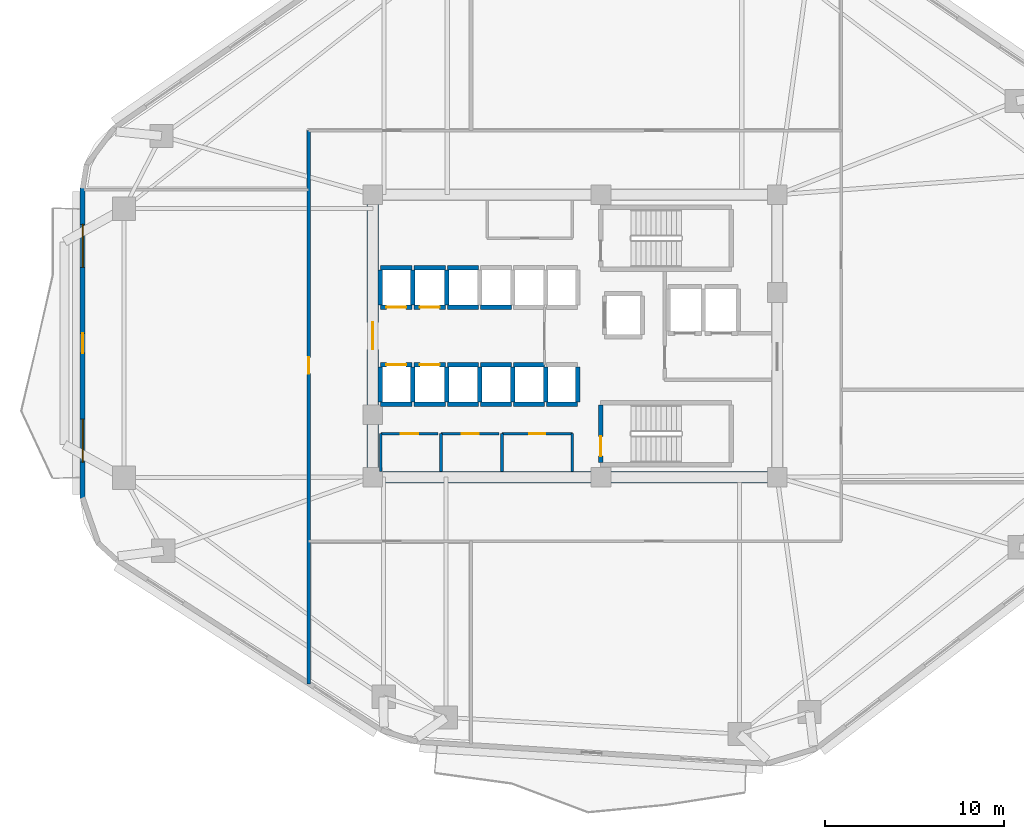
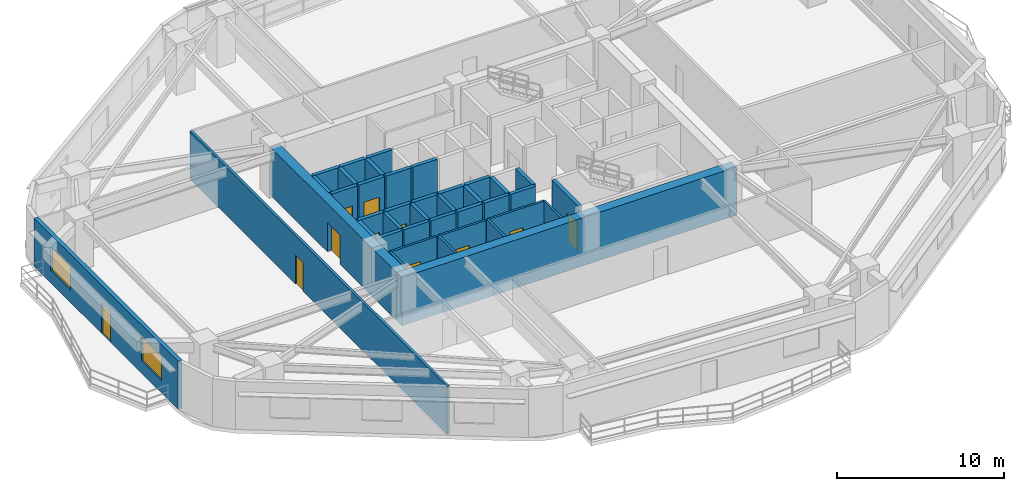
# One storey, part 6 of 11: 40 walls, 11 doors, 2 windows, 13 openings.
"""IFC4 building model written with IfcOpenShell, lengths in metres."""

from ifc_helpers import new_model, si_unit, direction, frame, frame_2d, origin, place, context, subcontext, project, spatial, rectangle, extrude, material, layer, layer_set, type_object, element, fill, save


model = new_model("IFC4")

# Units and contexts
model_context = context("Model", 3, precision=1e-05, world=origin(), true_north=direction((0.0, 1.0)))
body_context = subcontext(model_context, "Body", "Model", "MODEL_VIEW")
ifc_project = project(units=[si_unit("LENGTHUNIT", "METRE"), si_unit("AREAUNIT", "SQUARE_METRE"), si_unit("VOLUMEUNIT", "CUBIC_METRE"), si_unit("PLANEANGLEUNIT", "RADIAN"), si_unit("MASSUNIT", "GRAM", prefix="KILO")], contexts=[model_context])

# Site, building, storey
site_placement = place(None, origin())
site = spatial("IfcSite", under=ifc_project, at=site_placement, CompositionType="ELEMENT")
building_placement = place(site_placement, origin())
building = spatial("IfcBuilding", under=site, at=building_placement, Name="Zulverin Broadcast Headquarters", CompositionType="ELEMENT")
storey_placement = place(building_placement, frame((0.0, 0.0, 32.60009765625)))
storey = spatial("IfcBuildingStorey", under=building, at=storey_placement, Name="L07", CompositionType="ELEMENT", Elevation=32.60009765625)

# Wall
ifc_material_1 = material(Name="Concrete C60/75", Category="concrete")
ifc_layer_1 = layer(ifc_material_1, 0.64990234375, Name="Concrete C60/75", Category="concrete")
ifc_layer_set_1 = layer_set([ifc_layer_1], Name="Concrete C60/75")
wall_type_1 = type_object("IfcWallType", Name="WL-CORE-650", PredefinedType="SHEAR", material=ifc_layer_set_1)
wall_1_placement = place(storey_placement, frame((25.39990234375, 17.324951171875, 0.0), z_axis=(0.0, 0.0, 1.0), x_axis=(1.0, 0.0, 0.0)))
element("IfcWall", 1, at=wall_1_placement, inside=storey, type_object=wall_type_1, Name="L07 Core South Shear Wall", PredefinedType="SHEAR", context=body_context, shape_type="SweptSolid", body=[
    extrude(rectangle(XDim=23.2001953125, YDim=0.64990234375, at=frame_2d((11.60009765625, 0.0))), origin(), (0.0, 0.0, 1.0), 3.52490234375),
])

# Wall, opening, door
wall_2_placement = place(storey_placement, frame((25.72509765625, 17.64990234375, 0.0), z_axis=(0.0, 0.0, 1.0), x_axis=(0.0, 1.0, 0.0)))
wall_2 = element("IfcWall", 2, at=wall_2_placement, inside=storey, type_object=wall_type_1, Name="L07 Core West Shear Wall", PredefinedType="SHEAR", context=body_context, shape_type="SweptSolid", body=[
    extrude(rectangle(XDim=15.10009765625, YDim=0.64990234375, at=frame_2d((7.550048828125, 0.0))), origin(), (0.0, 0.0, 1.0), 3.52490234375),
])
opening_1_placement = place(wall_2_placement, frame((6.800048828125, 0.0, 0.0)))
opening_1 = element("IfcOpeningElement", 3, at=opening_1_placement, cuts=wall_2, Name="Opening D-L07-CW1", PredefinedType="OPENING", context=body_context, shape_type="SweptSolid", body=[
    extrude(rectangle(XDim=1.5, YDim=2.14990234375, at=frame_2d((0.75, 1.074951171875))), frame((0.0, 0.3349609375, 0.0), z_axis=(0.0, -1.0, 0.0), x_axis=(1.0, 0.0, 0.0)), (0.0, 0.0, 1.0), 0.669921875),
])
ifc_material_2 = material(Name="Fire-rated glazed steel frame", Category="steel")
door_type_1 = type_object("IfcDoorType", Name="DR-COR-1500", OperationType="DOUBLE_DOOR_SINGLE_SWING", PredefinedType="DOOR", material=ifc_material_2)
door_1_placement = place(opening_1_placement, origin())
door_1 = element("IfcDoor", 4, at=door_1_placement, inside=storey, type_object=door_type_1, Name="L07 Central Lift Lobby West Portal Door", OperationType="DOUBLE_DOOR_SINGLE_SWING", OverallHeight=2.14990234375, OverallWidth=1.5, PredefinedType="DOOR", context=body_context, shape_type="SweptSolid", body=[
    extrude(rectangle(XDim=1.5, YDim=2.14990234375, at=frame_2d((0.75, 1.074951171875))), frame((0.0, 0.02490234375, 0.0), z_axis=(0.0, -1.0, 0.0), x_axis=(1.0, 0.0, 0.0)), (0.0, 0.0, 1.0), 0.050048828125),
])
fill(opening_1, door_1)

# Wall, openings, door, windows
ifc_material_3 = material(Name="Insulated pale-metal clad concrete spandrel C40/50", Category="concrete")
ifc_layer_2 = layer(ifc_material_3, 0.280029296875, Name="Insulated pale-metal clad concrete spandrel C40/50", Category="concrete")
ifc_layer_set_2 = layer_set([ifc_layer_2], Name="Insulated pale-metal clad concrete spandrel C40/50")
wall_type_2 = type_object("IfcWallType", Name="WL-EXT-280", PredefinedType="STANDARD", material=ifc_layer_set_2)
wall_3_placement = place(storey_placement, frame((9.5400390625, 33.4443359375, 0.0), z_axis=(0.0, 0.0, 1.0), x_axis=(0.0, -1.0, 0.0)))
wall_3 = element("IfcWall", 5, at=wall_3_placement, inside=storey, type_object=wall_type_2, Name="L07 Pale-Metal Clad Spandrel Wall 7", PredefinedType="STANDARD", context=body_context, shape_type="SweptSolid", body=[
    extrude(rectangle(XDim=17.30078125, YDim=0.280029296875, at=frame_2d((8.650390625, 0.0))), origin(), (0.0, 0.0, 1.0), 3.52490234375),
])
opening_2_placement = place(wall_3_placement, frame((8.100341796875, 0.0, 0.0)))
opening_2 = element("IfcOpeningElement", 6, at=opening_2_placement, cuts=wall_3, Name="Opening D-L07-TR7", PredefinedType="OPENING", context=body_context, shape_type="SweptSolid", body=[
    extrude(rectangle(XDim=1.10009765625, YDim=2.199951171875, at=frame_2d((0.550048828125, 1.10009765625))), frame((0.0, 0.14990234375, 0.0), z_axis=(0.0, -1.0, 0.0), x_axis=(1.0, 0.0, 0.0)), (0.0, 0.0, 1.0), 0.300048828125),
])
opening_3_placement = place(wall_3_placement, frame((2.016845703125, 0.0, 0.89990234375)))
opening_3 = element("IfcOpeningElement", 7, at=opening_3_placement, cuts=wall_3, Name="Opening W-L07-E71", PredefinedType="OPENING", context=body_context, shape_type="SweptSolid", body=[
    extrude(rectangle(XDim=2.39990234375, YDim=1.75, at=frame_2d((1.199951171875, 0.875))), frame((0.0, 0.14990234375, 0.0), z_axis=(0.0, -1.0, 0.0), x_axis=(1.0, 0.0, 0.0)), (0.0, 0.0, 1.0), 0.300048828125),
])
opening_4_placement = place(wall_3_placement, frame((12.884033203125, 0.0, 0.89990234375)))
opening_4 = element("IfcOpeningElement", 8, at=opening_4_placement, cuts=wall_3, Name="Opening W-L07-E72", PredefinedType="OPENING", context=body_context, shape_type="SweptSolid", body=[
    extrude(rectangle(XDim=2.39990234375, YDim=1.75, at=frame_2d((1.199951171875, 0.875))), frame((0.0, 0.14990234375, 0.0), z_axis=(0.0, -1.0, 0.0), x_axis=(1.0, 0.0, 0.0)), (0.0, 0.0, 1.0), 0.300048828125),
])
ifc_material_4 = material(Name="Thermally broken aluminium glazed", Category="aluminium")
door_type_2 = type_object("IfcDoorType", Name="DR-TERR-1100", OperationType="SINGLE_SWING_RIGHT", PredefinedType="DOOR", material=ifc_material_4)
door_2_placement = place(opening_2_placement, origin())
door_2 = element("IfcDoor", 9, at=door_2_placement, inside=storey, type_object=door_type_2, Name="L07 Planted Terrace Glazed Access Door 7", OperationType="SINGLE_SWING_RIGHT", OverallHeight=2.199951171875, OverallWidth=1.10009765625, PredefinedType="DOOR", context=body_context, shape_type="SweptSolid", body=[
    extrude(rectangle(XDim=1.10009765625, YDim=2.199951171875, at=frame_2d((0.550048828125, 1.10009765625))), frame((0.0, 0.02490234375, 0.0), z_axis=(0.0, -1.0, 0.0), x_axis=(1.0, 0.0, 0.0)), (0.0, 0.0, 1.0), 0.050048828125),
])
fill(opening_2, door_2)
ifc_material_5 = material(Name="Pale anodized aluminium frame with solar-control low-E double glazing", Category="aluminium")
window_type = type_object("IfcWindowType", Name="WIN-RIB-2400", PartitioningType="SINGLE_PANEL", PredefinedType="WINDOW", material=ifc_material_5)
window_1_placement = place(opening_3_placement, origin())
window_1 = element("IfcWindow", 10, at=window_1_placement, inside=storey, type_object=window_type, Name="L07 Ribbon Glazing Window 7 1", OverallHeight=1.75, OverallWidth=2.39990234375, PartitioningType="SINGLE_PANEL", PredefinedType="WINDOW", context=body_context, shape_type="SweptSolid", body=[
    extrude(rectangle(XDim=2.39990234375, YDim=1.75, at=frame_2d((1.199951171875, 0.875))), frame((0.0, 0.030029296875, 0.0), z_axis=(0.0, -1.0, 0.0), x_axis=(1.0, 0.0, 0.0)), (0.0, 0.0, 1.0), 0.06005859375),
])
fill(opening_3, window_1)
window_2_placement = place(opening_4_placement, origin())
window_2 = element("IfcWindow", 11, at=window_2_placement, inside=storey, type_object=window_type, Name="L07 Ribbon Glazing Window 7 2", OverallHeight=1.75, OverallWidth=2.39990234375, PartitioningType="SINGLE_PANEL", PredefinedType="WINDOW", context=body_context, shape_type="SweptSolid", body=[
    extrude(rectangle(XDim=2.39990234375, YDim=1.75, at=frame_2d((1.199951171875, 0.875))), frame((0.0, 0.030029296875, 0.0), z_axis=(0.0, -1.0, 0.0), x_axis=(1.0, 0.0, 0.0)), (0.0, 0.0, 1.0), 0.06005859375),
])
fill(opening_4, window_2)

# Wall, opening, door
ifc_material_6 = material(Name="Fire-rated gypsum stud partition", Category="gypsum")
ifc_layer_3 = layer(ifc_material_6, 0.14990234375, Name="Fire-rated gypsum stud partition", Category="gypsum")
ifc_layer_set_3 = layer_set([ifc_layer_3], Name="Fire-rated gypsum stud partition")
wall_type_3 = type_object("IfcWallType", Name="WL-PART-150", PredefinedType="PARTITIONING", material=ifc_layer_set_3)
wall_4_placement = place(storey_placement, frame((26.169921875, 19.75, 0.0), z_axis=(0.0, 0.0, 1.0), x_axis=(1.0, 0.0, 0.0)))
wall_4 = element("IfcWall", 12, at=wall_4_placement, inside=storey, type_object=wall_type_3, Name="L07 Core Male WC Front Wall", PredefinedType="PARTITIONING", context=body_context, shape_type="SweptSolid", body=[
    extrude(rectangle(XDim=3.2001953125, YDim=0.14990234375, at=frame_2d((1.60009765625, 0.0))), origin(), (0.0, 0.0, 1.0), 3.52490234375),
])
opening_5_placement = place(wall_4_placement, frame((1.125, 0.0, 0.0)))
opening_5 = element("IfcOpeningElement", 13, at=opening_5_placement, cuts=wall_4, Name="Opening D-L07-SC1", PredefinedType="OPENING", context=body_context, shape_type="SweptSolid", body=[
    extrude(rectangle(XDim=0.949951171875, YDim=2.10009765625, at=frame_2d((0.47509765625, 1.050048828125))), frame((0.0, 0.0849609375, 0.0), z_axis=(0.0, -1.0, 0.0), x_axis=(1.0, 0.0, 0.0)), (0.0, 0.0, 1.0), 0.169921875),
])
ifc_material_7 = material(Name="Fire-rated moisture-resistant laminate leaf", Category="wood")
door_type_3 = type_object("IfcDoorType", Name="DR-WC-950", OperationType="SINGLE_SWING_LEFT", PredefinedType="DOOR", material=ifc_material_7)
door_3_placement = place(opening_5_placement, origin())
door_3 = element("IfcDoor", 14, at=door_3_placement, inside=storey, type_object=door_type_3, Name="L07 Male WC Door", OperationType="SINGLE_SWING_RIGHT", OverallHeight=2.10009765625, OverallWidth=0.949951171875, PredefinedType="DOOR", context=body_context, shape_type="SweptSolid", body=[
    extrude(rectangle(XDim=0.949951171875, YDim=2.10009765625, at=frame_2d((0.47509765625, 1.050048828125))), frame((0.0, 0.02490234375, 0.0), z_axis=(0.0, -1.0, 0.0), x_axis=(1.0, 0.0, 0.0)), (0.0, 0.0, 1.0), 0.050048828125),
])
fill(opening_5, door_3)

# Wall
wall_5_placement = place(storey_placement, frame((26.169921875, 17.64990234375, 0.0), z_axis=(0.0, 0.0, 1.0), x_axis=(0.0, 1.0, 0.0)))
element("IfcWall", 15, at=wall_5_placement, inside=storey, type_object=wall_type_3, Name="L07 Core Male WC West Wall", PredefinedType="PARTITIONING", context=body_context, shape_type="SweptSolid", body=[
    extrude(rectangle(XDim=2.10009765625, YDim=0.14990234375, at=frame_2d((1.050048828125, 0.0))), origin(), (0.0, 0.0, 1.0), 3.52490234375),
])

# Wall, opening, door
wall_6_placement = place(storey_placement, frame((29.530029296875, 19.75, 0.0), z_axis=(0.0, 0.0, 1.0), x_axis=(1.0, 0.0, 0.0)))
wall_6 = element("IfcWall", 16, at=wall_6_placement, inside=storey, type_object=wall_type_3, Name="L07 Core Female WC Front Wall", PredefinedType="PARTITIONING", context=body_context, shape_type="SweptSolid", body=[
    extrude(rectangle(XDim=3.239990234375, YDim=0.14990234375, at=frame_2d((1.6201171875, 0.0))), origin(), (0.0, 0.0, 1.0), 3.52490234375),
])
opening_6_placement = place(wall_6_placement, frame((1.14501953125, 0.0, 0.0)))
opening_6 = element("IfcOpeningElement", 17, at=opening_6_placement, cuts=wall_6, Name="Opening D-L07-SC2", PredefinedType="OPENING", context=body_context, shape_type="SweptSolid", body=[
    extrude(rectangle(XDim=0.949951171875, YDim=2.10009765625, at=frame_2d((0.47509765625, 1.050048828125))), frame((0.0, 0.0849609375, 0.0), z_axis=(0.0, -1.0, 0.0), x_axis=(1.0, 0.0, 0.0)), (0.0, 0.0, 1.0), 0.169921875),
])
door_4_placement = place(opening_6_placement, origin())
door_4 = element("IfcDoor", 18, at=door_4_placement, inside=storey, type_object=door_type_3, Name="L07 Female WC Door", OperationType="SINGLE_SWING_LEFT", OverallHeight=2.10009765625, OverallWidth=0.949951171875, PredefinedType="DOOR", context=body_context, shape_type="SweptSolid", body=[
    extrude(rectangle(XDim=0.949951171875, YDim=2.10009765625, at=frame_2d((0.47509765625, 1.050048828125))), frame((0.0, 0.02490234375, 0.0), z_axis=(0.0, -1.0, 0.0), x_axis=(1.0, 0.0, 0.0)), (0.0, 0.0, 1.0), 0.050048828125),
])
fill(opening_6, door_4)

# Wall
wall_7_placement = place(storey_placement, frame((29.530029296875, 17.64990234375, 0.0), z_axis=(0.0, 0.0, 1.0), x_axis=(0.0, 1.0, 0.0)))
element("IfcWall", 19, at=wall_7_placement, inside=storey, type_object=wall_type_3, Name="L07 Core Female WC West Wall", PredefinedType="PARTITIONING", context=body_context, shape_type="SweptSolid", body=[
    extrude(rectangle(XDim=2.10009765625, YDim=0.14990234375, at=frame_2d((1.050048828125, 0.0))), origin(), (0.0, 0.0, 1.0), 3.52490234375),
])

# Wall, opening, door
wall_8_placement = place(storey_placement, frame((32.929931640625, 19.75, 0.0), z_axis=(0.0, 0.0, 1.0), x_axis=(1.0, 0.0, 0.0)))
wall_8 = element("IfcWall", 20, at=wall_8_placement, inside=storey, type_object=wall_type_3, Name="L07 Core Cleaner Store Front Wall", PredefinedType="PARTITIONING", context=body_context, shape_type="SweptSolid", body=[
    extrude(rectangle(XDim=3.920166015625, YDim=0.14990234375, at=frame_2d((1.9599609375, 0.0))), origin(), (0.0, 0.0, 1.0), 3.52490234375),
])
opening_7_placement = place(wall_8_placement, frame((1.510009765625, 0.0, 0.0)))
opening_7 = element("IfcOpeningElement", 21, at=opening_7_placement, cuts=wall_8, Name="Opening D-L07-SC3", PredefinedType="OPENING", context=body_context, shape_type="SweptSolid", body=[
    extrude(rectangle(XDim=0.89990234375, YDim=2.10009765625, at=frame_2d((0.449951171875, 1.050048828125))), frame((0.0, 0.0849609375, 0.0), z_axis=(0.0, -1.0, 0.0), x_axis=(1.0, 0.0, 0.0)), (0.0, 0.0, 1.0), 0.169921875),
])
ifc_material_8 = material(Name="Powder-coated steel access leaf", Category="steel")
door_type_4 = type_object("IfcDoorType", Name="DR-RISER-900", OperationType="SINGLE_SWING_LEFT", PredefinedType="DOOR", material=ifc_material_8)
door_5_placement = place(opening_7_placement, origin())
door_5 = element("IfcDoor", 22, at=door_5_placement, inside=storey, type_object=door_type_4, Name="L07 Cleaner Store Door", OperationType="SINGLE_SWING_RIGHT", OverallHeight=2.10009765625, OverallWidth=0.89990234375, PredefinedType="DOOR", context=body_context, shape_type="SweptSolid", body=[
    extrude(rectangle(XDim=0.89990234375, YDim=2.10009765625, at=frame_2d((0.449951171875, 1.050048828125))), frame((0.0, 0.02490234375, 0.0), z_axis=(0.0, -1.0, 0.0), x_axis=(1.0, 0.0, 0.0)), (0.0, 0.0, 1.0), 0.050048828125),
])
fill(opening_7, door_5)

# Walls
for number, where, z_axis, x_axis, name in (
    (23, (32.929931640625, 17.64990234375, 0.0), (0.0, 0.0, 1.0), (0.0, 1.0, 0.0), "L07 Core Cleaner Store West Wall"),
    (24, (36.85009765625, 17.64990234375, 0.0), (0.0, 0.0, 1.0), (0.0, 1.0, 0.0), "L07 Core Cleaner Store East Wall"),
):
    element("IfcWall", number, at=place(storey_placement, frame(where, z_axis=z_axis, x_axis=x_axis)), inside=storey, type_object=wall_type_3, Name=name, PredefinedType="PARTITIONING", context=body_context, shape_type="SweptSolid", body=[
        extrude(rectangle(XDim=2.10009765625, YDim=0.14990234375, at=frame_2d((1.050048828125, 0.0))), origin(), (0.0, 0.0, 1.0), 3.52490234375),
    ])

# Wall, opening, door
ifc_material_9 = material(Name="Fire-rated acoustic stud wall", Category="gypsum")
ifc_layer_4 = layer(ifc_material_9, 0.175048828125, Name="Fire-rated acoustic stud wall", Category="gypsum")
ifc_layer_set_4 = layer_set([ifc_layer_4], Name="Fire-rated acoustic stud wall")
wall_type_4 = type_object("IfcWallType", Name="WL-PART-175", PredefinedType="PARTITIONING", material=ifc_layer_set_4)
wall_9_placement = place(storey_placement, frame((22.14990234375, 5.797607421875, 0.0), z_axis=(0.0, 0.0, 1.0), x_axis=(0.0, 1.0, 0.0)))
wall_9 = element("IfcWall", 25, at=wall_9_placement, inside=storey, type_object=wall_type_4, Name="L07 Gallery Partition Wall CG-04", PredefinedType="PARTITIONING", context=body_context, shape_type="SweptSolid", body=[
    extrude(rectangle(XDim=30.852294921875, YDim=0.175048828125, at=frame_2d((15.42626953125, 0.0))), origin(), (0.0, 0.0, 1.0), 3.52490234375),
])
opening_8_placement = place(wall_9_placement, frame((17.302490234375, 0.0, 0.0)))
opening_8 = element("IfcOpeningElement", 26, at=opening_8_placement, cuts=wall_9, Name="Opening D-L07-05", PredefinedType="OPENING", context=body_context, shape_type="SweptSolid", body=[
    extrude(rectangle(XDim=0.89990234375, YDim=2.10009765625, at=frame_2d((0.449951171875, 1.050048828125))), frame((0.0, 0.097412109375, 0.0), z_axis=(0.0, -1.0, 0.0), x_axis=(1.0, 0.0, 0.0)), (0.0, 0.0, 1.0), 0.195068359375),
])
ifc_material_10 = material(Name="Fire-rated hardwood veneer timber leaf", Category="wood")
door_type_5 = type_object("IfcDoorType", Name="DR-ROOM-900", OperationType="SINGLE_SWING_RIGHT", PredefinedType="DOOR", material=ifc_material_10)
door_6_placement = place(opening_8_placement, origin())
door_6 = element("IfcDoor", 27, at=door_6_placement, inside=storey, type_object=door_type_5, Name="L07 Briefing Room Door", OperationType="SINGLE_SWING_RIGHT", OverallHeight=2.10009765625, OverallWidth=0.89990234375, PredefinedType="DOOR", context=body_context, shape_type="SweptSolid", body=[
    extrude(rectangle(XDim=0.89990234375, YDim=2.10009765625, at=frame_2d((0.449951171875, 1.050048828125))), frame((0.0, 0.02490234375, 0.0), z_axis=(0.0, -1.0, 0.0), x_axis=(1.0, 0.0, 0.0)), (0.0, 0.0, 1.0), 0.050048828125),
])
fill(opening_8, door_6)

ifc_material_11 = material(Name="Concrete C50/60", Category="concrete")
ifc_layer_5 = layer(ifc_material_11, 0.25, Name="Concrete C50/60", Category="concrete")
ifc_layer_set_5 = layer_set([ifc_layer_5], Name="Concrete C50/60")
wall_type_5 = type_object("IfcWallType", Name="WL-SHAFT-250", PredefinedType="SHEAR", material=ifc_layer_set_5)
wall_10_placement = place(storey_placement, frame((38.425048828125, 18.14990234375, 0.0), z_axis=(0.0, 0.0, 1.0), x_axis=(0.0, 1.0, 0.0)))
wall_10 = element("IfcWall", 28, at=wall_10_placement, inside=storey, type_object=wall_type_5, Name="L07 ST-2 Enclosure Wall W", PredefinedType="SHEAR", context=body_context, shape_type="SweptSolid", body=[
    extrude(rectangle(XDim=3.2001953125, YDim=0.25, at=frame_2d((1.60009765625, 0.0))), origin(), (0.0, 0.0, 1.0), 3.52490234375),
])
opening_9_placement = place(wall_10_placement, frame((0.35009765625, 0.0, 0.0)))
opening_9 = element("IfcOpeningElement", 29, at=opening_9_placement, cuts=wall_10, Name="Opening D-L07-ST-2", PredefinedType="OPENING", context=body_context, shape_type="SweptSolid", body=[
    extrude(rectangle(XDim=1.10009765625, YDim=2.14990234375, at=frame_2d((0.550048828125, 1.074951171875))), frame((0.0, 0.135009765625, 0.0), z_axis=(0.0, -1.0, 0.0), x_axis=(1.0, 0.0, 0.0)), (0.0, 0.0, 1.0), 0.27001953125),
])
ifc_material_12 = material(Name="Fire-rated steel leaf and frame", Category="steel")
door_type_6 = type_object("IfcDoorType", Name="DR-STAIR-1100", OperationType="SINGLE_SWING_LEFT", PredefinedType="DOOR", material=ifc_material_12)
door_7_placement = place(opening_9_placement, origin())
door_7 = element("IfcDoor", 30, at=door_7_placement, inside=storey, type_object=door_type_6, Name="L07 Exit Stair ST-2 Fire Door", OperationType="SINGLE_SWING_RIGHT", OverallHeight=2.14990234375, OverallWidth=1.10009765625, PredefinedType="DOOR", context=body_context, shape_type="SweptSolid", body=[
    extrude(rectangle(XDim=1.10009765625, YDim=2.14990234375, at=frame_2d((0.550048828125, 1.074951171875))), frame((0.0, 0.02490234375, 0.0), z_axis=(0.0, -1.0, 0.0), x_axis=(1.0, 0.0, 0.0)), (0.0, 0.0, 1.0), 0.050048828125),
])
fill(opening_9, door_7)

wall_11_placement = place(storey_placement, frame((26.14990234375, 26.800048828125, 0.0), z_axis=(0.0, 0.0, 1.0), x_axis=(1.0, 0.0, 0.0)))
wall_11 = element("IfcWall", 31, at=wall_11_placement, inside=storey, type_object=wall_type_5, Name="L07 Lift PL-L1 Shaft Wall S", PredefinedType="SHEAR", context=body_context, shape_type="SweptSolid", body=[
    extrude(rectangle(XDim=1.75, YDim=0.25, at=frame_2d((0.875, 0.0))), origin(), (0.0, 0.0, 1.0), 3.52490234375),
])
opening_10_placement = place(wall_11_placement, frame((0.324951171875, 0.0, 0.0)))
opening_10 = element("IfcOpeningElement", 32, at=opening_10_placement, cuts=wall_11, Name="Opening LD-PL-L1-L07", PredefinedType="OPENING", context=body_context, shape_type="SweptSolid", body=[
    extrude(rectangle(XDim=1.10009765625, YDim=2.14990234375, at=frame_2d((0.550048828125, 1.074951171875))), frame((0.0, 0.135009765625, 0.0), z_axis=(0.0, -1.0, 0.0), x_axis=(1.0, 0.0, 0.0)), (0.0, 0.0, 1.0), 0.27001953125),
])
ifc_material_13 = material(Name="Brushed stainless steel landing", Category="steel")
door_type_7 = type_object("IfcDoorType", Name="LD-PASS-1100", OperationType="DOUBLE_DOOR_SLIDING", PredefinedType="DOOR", material=ifc_material_13)
door_8_placement = place(opening_10_placement, origin())
door_8 = element("IfcDoor", 33, at=door_8_placement, inside=storey, type_object=door_type_7, Name="L07 Lift PL-L1 Sliding Landing Door", OperationType="DOUBLE_DOOR_SLIDING", OverallHeight=2.14990234375, OverallWidth=1.10009765625, PredefinedType="DOOR", context=body_context, shape_type="SweptSolid", body=[
    extrude(rectangle(XDim=1.10009765625, YDim=2.14990234375, at=frame_2d((0.550048828125, 1.074951171875))), frame((0.0, 0.02490234375, 0.0), z_axis=(0.0, -1.0, 0.0), x_axis=(1.0, 0.0, 0.0)), (0.0, 0.0, 1.0), 0.050048828125),
])
fill(opening_10, door_8)

# Walls
wall_12_placement = place(storey_placement, frame((26.14990234375, 29.0, 0.0), z_axis=(0.0, 0.0, 1.0), x_axis=(1.0, 0.0, 0.0)))
element("IfcWall", 34, at=wall_12_placement, inside=storey, type_object=wall_type_5, Name="L07 Lift PL-L1 Shaft Wall N", PredefinedType="SHEAR", context=body_context, shape_type="SweptSolid", body=[
    extrude(rectangle(XDim=1.75, YDim=0.25, at=frame_2d((0.875, 0.0))), origin(), (0.0, 0.0, 1.0), 3.52490234375),
])
for number, where, z_axis, x_axis, name in (
    (35, (26.14990234375, 26.919921875, 0.0), (0.0, 0.0, 1.0), (0.0, 1.0, 0.0), "L07 Lift PL-L1 Shaft Wall W"),
    (36, (27.9599609375, 26.919921875, 0.0), (0.0, 0.0, 1.0), (0.0, 1.0, 0.0), "L07 Lift PL-L1 Shaft Wall E"),
):
    element("IfcWall", number, at=place(storey_placement, frame(where, z_axis=z_axis, x_axis=x_axis)), inside=storey, type_object=wall_type_5, Name=name, PredefinedType="SHEAR", context=body_context, shape_type="SweptSolid", body=[
        extrude(rectangle(XDim=1.9599609375, YDim=0.25, at=frame_2d((0.97998046875, 0.0))), origin(), (0.0, 0.0, 1.0), 3.52490234375),
    ])

# Wall, opening, door
wall_13_placement = place(storey_placement, frame((28.02001953125, 26.800048828125, 0.0), z_axis=(0.0, 0.0, 1.0), x_axis=(1.0, 0.0, 0.0)))
wall_13 = element("IfcWall", 37, at=wall_13_placement, inside=storey, type_object=wall_type_5, Name="L07 Lift PL-L2 Shaft Wall S", PredefinedType="SHEAR", context=body_context, shape_type="SweptSolid", body=[
    extrude(rectangle(XDim=1.75, YDim=0.25, at=frame_2d((0.875, 0.0))), origin(), (0.0, 0.0, 1.0), 3.52490234375),
])
opening_11_placement = place(wall_13_placement, frame((0.324951171875, 0.0, 0.0)))
opening_11 = element("IfcOpeningElement", 38, at=opening_11_placement, cuts=wall_13, Name="Opening LD-PL-L2-L07", PredefinedType="OPENING", context=body_context, shape_type="SweptSolid", body=[
    extrude(rectangle(XDim=1.10009765625, YDim=2.14990234375, at=frame_2d((0.550048828125, 1.074951171875))), frame((0.0, 0.135009765625, 0.0), z_axis=(0.0, -1.0, 0.0), x_axis=(1.0, 0.0, 0.0)), (0.0, 0.0, 1.0), 0.27001953125),
])
door_9_placement = place(opening_11_placement, origin())
door_9 = element("IfcDoor", 39, at=door_9_placement, inside=storey, type_object=door_type_7, Name="L07 Lift PL-L2 Sliding Landing Door", OperationType="DOUBLE_DOOR_SLIDING", OverallHeight=2.14990234375, OverallWidth=1.10009765625, PredefinedType="DOOR", context=body_context, shape_type="SweptSolid", body=[
    extrude(rectangle(XDim=1.10009765625, YDim=2.14990234375, at=frame_2d((0.550048828125, 1.074951171875))), frame((0.0, 0.02490234375, 0.0), z_axis=(0.0, -1.0, 0.0), x_axis=(1.0, 0.0, 0.0)), (0.0, 0.0, 1.0), 0.050048828125),
])
fill(opening_11, door_9)

# Walls
wall_14_placement = place(storey_placement, frame((28.02001953125, 29.0, 0.0), z_axis=(0.0, 0.0, 1.0), x_axis=(1.0, 0.0, 0.0)))
element("IfcWall", 40, at=wall_14_placement, inside=storey, type_object=wall_type_5, Name="L07 Lift PL-L2 Shaft Wall N", PredefinedType="SHEAR", context=body_context, shape_type="SweptSolid", body=[
    extrude(rectangle(XDim=1.75, YDim=0.25, at=frame_2d((0.875, 0.0))), origin(), (0.0, 0.0, 1.0), 3.52490234375),
])
wall_15_placement = place(storey_placement, frame((29.8349609375, 26.919921875, 0.0), z_axis=(0.0, 0.0, 1.0), x_axis=(0.0, 1.0, 0.0)))
element("IfcWall", 41, at=wall_15_placement, inside=storey, type_object=wall_type_5, Name="L07 Lift PL-L2 Shaft Wall E", PredefinedType="SHEAR", context=body_context, shape_type="SweptSolid", body=[
    extrude(rectangle(XDim=1.9599609375, YDim=0.25, at=frame_2d((0.97998046875, 0.0))), origin(), (0.0, 0.0, 1.0), 3.52490234375),
])
wall_16_placement = place(storey_placement, frame((26.14990234375, 21.39990234375, 0.0), z_axis=(0.0, 0.0, 1.0), x_axis=(1.0, 0.0, 0.0)))
element("IfcWall", 42, at=wall_16_placement, inside=storey, type_object=wall_type_5, Name="L07 Lift PL-L3 Shaft Wall S", PredefinedType="SHEAR", context=body_context, shape_type="SweptSolid", body=[
    extrude(rectangle(XDim=1.75, YDim=0.25, at=frame_2d((0.875, 0.0))), origin(), (0.0, 0.0, 1.0), 3.52490234375),
])

# Wall, opening, door
wall_17_placement = place(storey_placement, frame((26.14990234375, 23.60009765625, 0.0), z_axis=(0.0, 0.0, 1.0), x_axis=(1.0, 0.0, 0.0)))
wall_17 = element("IfcWall", 43, at=wall_17_placement, inside=storey, type_object=wall_type_5, Name="L07 Lift PL-L3 Shaft Wall N", PredefinedType="SHEAR", context=body_context, shape_type="SweptSolid", body=[
    extrude(rectangle(XDim=1.75, YDim=0.25, at=frame_2d((0.875, 0.0))), origin(), (0.0, 0.0, 1.0), 3.52490234375),
])
opening_12_placement = place(wall_17_placement, frame((0.324951171875, 0.0, 0.0)))
opening_12 = element("IfcOpeningElement", 44, at=opening_12_placement, cuts=wall_17, Name="Opening LD-PL-L3-L07", PredefinedType="OPENING", context=body_context, shape_type="SweptSolid", body=[
    extrude(rectangle(XDim=1.10009765625, YDim=2.14990234375, at=frame_2d((0.550048828125, 1.074951171875))), frame((0.0, 0.135009765625, 0.0), z_axis=(0.0, -1.0, 0.0), x_axis=(1.0, 0.0, 0.0)), (0.0, 0.0, 1.0), 0.27001953125),
])
door_10_placement = place(opening_12_placement, origin())
door_10 = element("IfcDoor", 45, at=door_10_placement, inside=storey, type_object=door_type_7, Name="L07 Lift PL-L3 Sliding Landing Door", OperationType="DOUBLE_DOOR_SLIDING", OverallHeight=2.14990234375, OverallWidth=1.10009765625, PredefinedType="DOOR", context=body_context, shape_type="SweptSolid", body=[
    extrude(rectangle(XDim=1.10009765625, YDim=2.14990234375, at=frame_2d((0.550048828125, 1.074951171875))), frame((0.0, 0.02490234375, 0.0), z_axis=(0.0, -1.0, 0.0), x_axis=(1.0, 0.0, 0.0)), (0.0, 0.0, 1.0), 0.050048828125),
])
fill(opening_12, door_10)

# Walls
for number, where, z_axis, x_axis, name in (
    (46, (26.14990234375, 21.52001953125, 0.0), (0.0, 0.0, 1.0), (0.0, 1.0, 0.0), "L07 Lift PL-L3 Shaft Wall W"),
    (47, (27.9599609375, 21.52001953125, 0.0), (0.0, 0.0, 1.0), (0.0, 1.0, 0.0), "L07 Lift PL-L3 Shaft Wall E"),
):
    element("IfcWall", number, at=place(storey_placement, frame(where, z_axis=z_axis, x_axis=x_axis)), inside=storey, type_object=wall_type_5, Name=name, PredefinedType="SHEAR", context=body_context, shape_type="SweptSolid", body=[
        extrude(rectangle(XDim=1.9599609375, YDim=0.25, at=frame_2d((0.97998046875, 0.0))), origin(), (0.0, 0.0, 1.0), 3.52490234375),
    ])
wall_18_placement = place(storey_placement, frame((28.02001953125, 21.39990234375, 0.0), z_axis=(0.0, 0.0, 1.0), x_axis=(1.0, 0.0, 0.0)))
element("IfcWall", 48, at=wall_18_placement, inside=storey, type_object=wall_type_5, Name="L07 Lift PL-L4 Shaft Wall S", PredefinedType="SHEAR", context=body_context, shape_type="SweptSolid", body=[
    extrude(rectangle(XDim=1.75, YDim=0.25, at=frame_2d((0.875, 0.0))), origin(), (0.0, 0.0, 1.0), 3.52490234375),
])

# Wall, opening, door
wall_19_placement = place(storey_placement, frame((28.02001953125, 23.60009765625, 0.0), z_axis=(0.0, 0.0, 1.0), x_axis=(1.0, 0.0, 0.0)))
wall_19 = element("IfcWall", 49, at=wall_19_placement, inside=storey, type_object=wall_type_5, Name="L07 Lift PL-L4 Shaft Wall N", PredefinedType="SHEAR", context=body_context, shape_type="SweptSolid", body=[
    extrude(rectangle(XDim=1.75, YDim=0.25, at=frame_2d((0.875, 0.0))), origin(), (0.0, 0.0, 1.0), 3.52490234375),
])
opening_13_placement = place(wall_19_placement, frame((0.324951171875, 0.0, 0.0)))
opening_13 = element("IfcOpeningElement", 50, at=opening_13_placement, cuts=wall_19, Name="Opening LD-PL-L4-L07", PredefinedType="OPENING", context=body_context, shape_type="SweptSolid", body=[
    extrude(rectangle(XDim=1.10009765625, YDim=2.14990234375, at=frame_2d((0.550048828125, 1.074951171875))), frame((0.0, 0.135009765625, 0.0), z_axis=(0.0, -1.0, 0.0), x_axis=(1.0, 0.0, 0.0)), (0.0, 0.0, 1.0), 0.27001953125),
])
door_11_placement = place(opening_13_placement, origin())
door_11 = element("IfcDoor", 51, at=door_11_placement, inside=storey, type_object=door_type_7, Name="L07 Lift PL-L4 Sliding Landing Door", OperationType="DOUBLE_DOOR_SLIDING", OverallHeight=2.14990234375, OverallWidth=1.10009765625, PredefinedType="DOOR", context=body_context, shape_type="SweptSolid", body=[
    extrude(rectangle(XDim=1.10009765625, YDim=2.14990234375, at=frame_2d((0.550048828125, 1.074951171875))), frame((0.0, 0.02490234375, 0.0), z_axis=(0.0, -1.0, 0.0), x_axis=(1.0, 0.0, 0.0)), (0.0, 0.0, 1.0), 0.050048828125),
])
fill(opening_13, door_11)

# Walls
wall_20_placement = place(storey_placement, frame((29.8349609375, 21.52001953125, 0.0), z_axis=(0.0, 0.0, 1.0), x_axis=(0.0, 1.0, 0.0)))
element("IfcWall", 52, at=wall_20_placement, inside=storey, type_object=wall_type_5, Name="L07 Lift PL-L4 Shaft Wall E", PredefinedType="SHEAR", context=body_context, shape_type="SweptSolid", body=[
    extrude(rectangle(XDim=1.9599609375, YDim=0.25, at=frame_2d((0.97998046875, 0.0))), origin(), (0.0, 0.0, 1.0), 3.52490234375),
])
for number, where, z_axis, x_axis, name in (
    (53, (29.89990234375, 21.39990234375, 0.0), (0.0, 0.0, 1.0), (1.0, 0.0, 0.0), "L07 Lift PL-M1 Shaft Wall S"),
    (54, (29.89990234375, 23.60009765625, 0.0), (0.0, 0.0, 1.0), (1.0, 0.0, 0.0), "L07 Lift PL-M1 Shaft Wall N"),
):
    element("IfcWall", number, at=place(storey_placement, frame(where, z_axis=z_axis, x_axis=x_axis)), inside=storey, type_object=wall_type_5, Name=name, PredefinedType="SHEAR", context=body_context, shape_type="SweptSolid", body=[
        extrude(rectangle(XDim=1.72021484375, YDim=0.25, at=frame_2d((0.860107421875, 0.0))), origin(), (0.0, 0.0, 1.0), 3.52490234375),
    ])
wall_21_placement = place(storey_placement, frame((31.679931640625, 21.52001953125, 0.0), z_axis=(0.0, 0.0, 1.0), x_axis=(0.0, 1.0, 0.0)))
element("IfcWall", 55, at=wall_21_placement, inside=storey, type_object=wall_type_5, Name="L07 Lift PL-M1 Shaft Wall E", PredefinedType="SHEAR", context=body_context, shape_type="SweptSolid", body=[
    extrude(rectangle(XDim=1.9599609375, YDim=0.25, at=frame_2d((0.97998046875, 0.0))), origin(), (0.0, 0.0, 1.0), 3.52490234375),
])
for number, where, z_axis, x_axis, name in (
    (56, (31.739990234375, 21.39990234375, 0.0), (0.0, 0.0, 1.0), (1.0, 0.0, 0.0), "L07 Lift PL-M2 Shaft Wall S"),
    (57, (31.739990234375, 23.60009765625, 0.0), (0.0, 0.0, 1.0), (1.0, 0.0, 0.0), "L07 Lift PL-M2 Shaft Wall N"),
):
    element("IfcWall", number, at=place(storey_placement, frame(where, z_axis=z_axis, x_axis=x_axis)), inside=storey, type_object=wall_type_5, Name=name, PredefinedType="SHEAR", context=body_context, shape_type="SweptSolid", body=[
        extrude(rectangle(XDim=1.719970703125, YDim=0.25, at=frame_2d((0.85986328125, 0.0))), origin(), (0.0, 0.0, 1.0), 3.52490234375),
    ])
wall_22_placement = place(storey_placement, frame((33.52001953125, 21.52001953125, 0.0), z_axis=(0.0, 0.0, 1.0), x_axis=(0.0, 1.0, 0.0)))
element("IfcWall", 58, at=wall_22_placement, inside=storey, type_object=wall_type_5, Name="L07 Lift PL-M2 Shaft Wall E", PredefinedType="SHEAR", context=body_context, shape_type="SweptSolid", body=[
    extrude(rectangle(XDim=1.9599609375, YDim=0.25, at=frame_2d((0.97998046875, 0.0))), origin(), (0.0, 0.0, 1.0), 3.52490234375),
])
for number, where, z_axis, x_axis, name in (
    (59, (33.580078125, 21.39990234375, 0.0), (0.0, 0.0, 1.0), (1.0, 0.0, 0.0), "L07 Lift PL-M3 Shaft Wall S"),
    (60, (33.580078125, 23.60009765625, 0.0), (0.0, 0.0, 1.0), (1.0, 0.0, 0.0), "L07 Lift PL-M3 Shaft Wall N"),
):
    element("IfcWall", number, at=place(storey_placement, frame(where, z_axis=z_axis, x_axis=x_axis)), inside=storey, type_object=wall_type_5, Name=name, PredefinedType="SHEAR", context=body_context, shape_type="SweptSolid", body=[
        extrude(rectangle(XDim=1.719970703125, YDim=0.25, at=frame_2d((0.85986328125, 0.0))), origin(), (0.0, 0.0, 1.0), 3.52490234375),
    ])
wall_23_placement = place(storey_placement, frame((35.360107421875, 21.52001953125, 0.0), z_axis=(0.0, 0.0, 1.0), x_axis=(0.0, 1.0, 0.0)))
element("IfcWall", 61, at=wall_23_placement, inside=storey, type_object=wall_type_5, Name="L07 Lift PL-M3 Shaft Wall E", PredefinedType="SHEAR", context=body_context, shape_type="SweptSolid", body=[
    extrude(rectangle(XDim=1.9599609375, YDim=0.25, at=frame_2d((0.97998046875, 0.0))), origin(), (0.0, 0.0, 1.0), 3.52490234375),
])
wall_24_placement = place(storey_placement, frame((35.419921875, 21.39990234375, 0.0), z_axis=(0.0, 0.0, 1.0), x_axis=(1.0, 0.0, 0.0)))
element("IfcWall", 62, at=wall_24_placement, inside=storey, type_object=wall_type_5, Name="L07 Lift PL-M4 Shaft Wall S", PredefinedType="SHEAR", context=body_context, shape_type="SweptSolid", body=[
    extrude(rectangle(XDim=1.719970703125, YDim=0.25, at=frame_2d((0.85986328125, 0.0))), origin(), (0.0, 0.0, 1.0), 3.52490234375),
])
wall_25_placement = place(storey_placement, frame((37.139892578125, 21.52001953125, 0.0), z_axis=(0.0, 0.0, 1.0), x_axis=(0.0, 1.0, 0.0)))
element("IfcWall", 63, at=wall_25_placement, inside=storey, type_object=wall_type_5, Name="L07 Lift PL-M4 Shaft Wall E", PredefinedType="SHEAR", context=body_context, shape_type="SweptSolid", body=[
    extrude(rectangle(XDim=1.9599609375, YDim=0.25, at=frame_2d((0.97998046875, 0.0))), origin(), (0.0, 0.0, 1.0), 3.52490234375),
])
for number, where, z_axis, x_axis, name in (
    (64, (29.89990234375, 26.800048828125, 0.0), (0.0, 0.0, 1.0), (1.0, 0.0, 0.0), "L07 Lift PL-H1 Shaft Wall S"),
    (65, (29.89990234375, 29.0, 0.0), (0.0, 0.0, 1.0), (1.0, 0.0, 0.0), "L07 Lift PL-H1 Shaft Wall N"),
):
    element("IfcWall", number, at=place(storey_placement, frame(where, z_axis=z_axis, x_axis=x_axis)), inside=storey, type_object=wall_type_5, Name=name, PredefinedType="SHEAR", context=body_context, shape_type="SweptSolid", body=[
        extrude(rectangle(XDim=1.72021484375, YDim=0.25, at=frame_2d((0.860107421875, 0.0))), origin(), (0.0, 0.0, 1.0), 3.52490234375),
    ])
wall_26_placement = place(storey_placement, frame((31.739990234375, 26.800048828125, 0.0), z_axis=(0.0, 0.0, 1.0), x_axis=(1.0, 0.0, 0.0)))
element("IfcWall", 66, at=wall_26_placement, inside=storey, type_object=wall_type_5, Name="L07 Lift PL-H2 Shaft Wall S", PredefinedType="SHEAR", context=body_context, shape_type="SweptSolid", body=[
    extrude(rectangle(XDim=1.719970703125, YDim=0.25, at=frame_2d((0.85986328125, 0.0))), origin(), (0.0, 0.0, 1.0), 3.52490234375),
])

save(model, "model.ifc")
